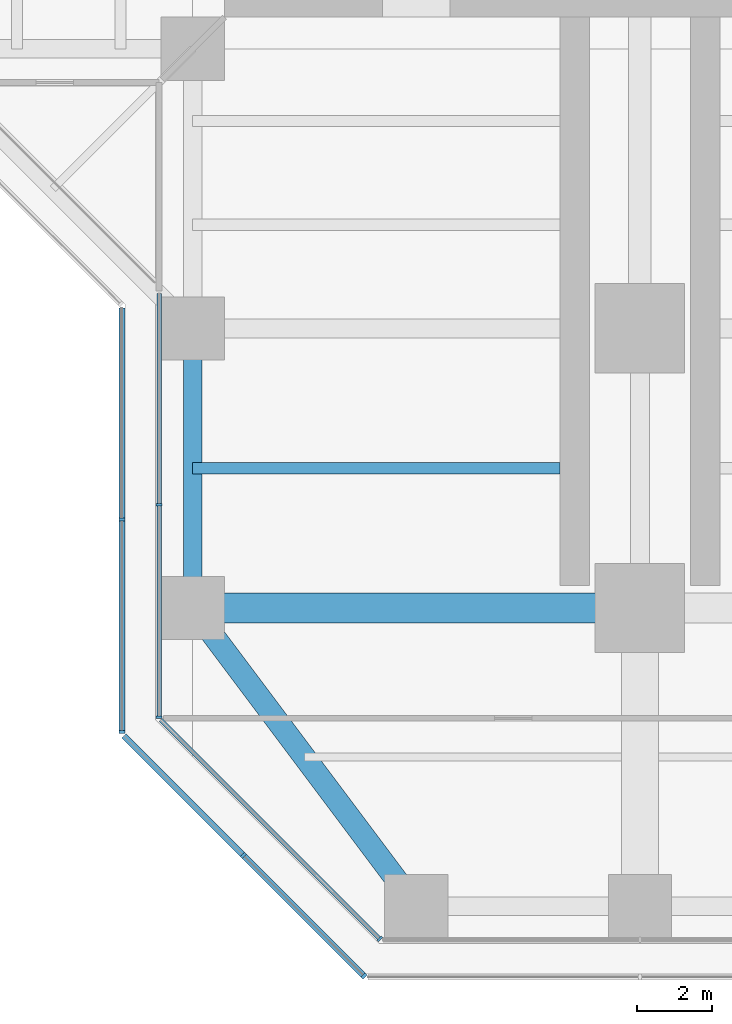
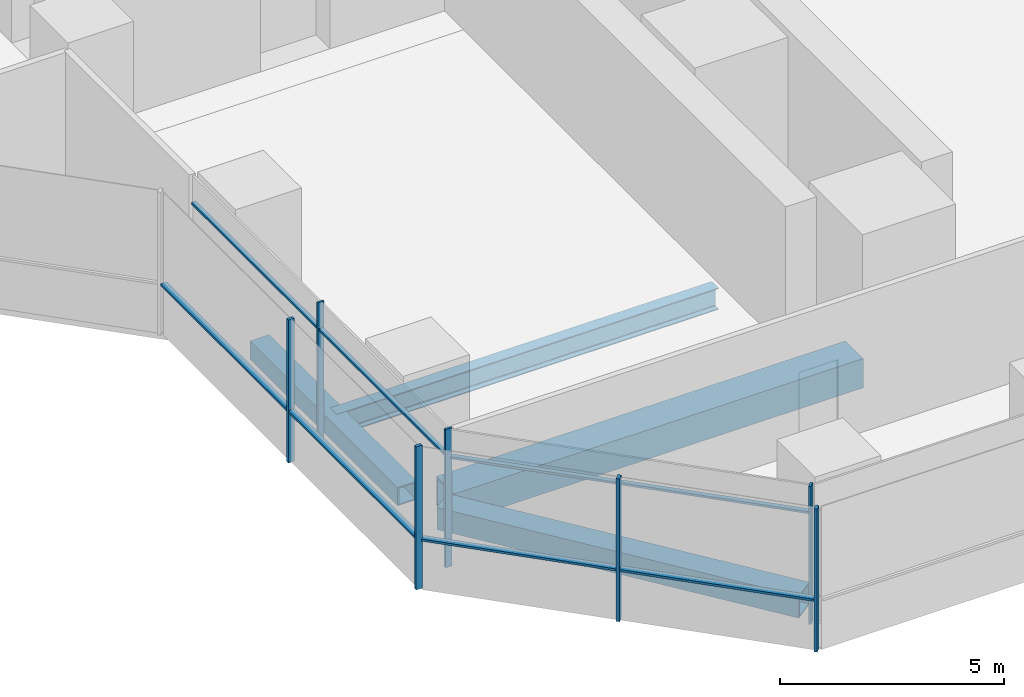
# One storey, part 2 of 22: 14 members, 4 beams, 4 elements without a shape of their own.
"""IFC4 building model written with IfcOpenShell, lengths in metres."""

from ifc_helpers import new_model, si_unit, direction, frame, origin, origin_2d, place, context, subcontext, project, spatial, rectangle, hollow_rectangle, i_section, extrude, material, material_profile, profile_set, type_object, element, aggregate, save


model = new_model("IFC4")

# Units and contexts
model_context = context("Model", 3, precision=1e-05, world=origin(), true_north=direction((0.0, 1.0)))
body_context = subcontext(model_context, "Body", "Model", "MODEL_VIEW")
ifc_project = project(units=[si_unit("LENGTHUNIT", "METRE"), si_unit("AREAUNIT", "SQUARE_METRE"), si_unit("VOLUMEUNIT", "CUBIC_METRE"), si_unit("PLANEANGLEUNIT", "RADIAN"), si_unit("MASSUNIT", "GRAM", prefix="KILO")], contexts=[model_context])

# Site, building, storey
site_placement = place(None, origin())
site = spatial("IfcSite", under=ifc_project, at=site_placement, CompositionType="ELEMENT")
building_placement = place(site_placement, origin())
building = spatial("IfcBuilding", under=site, at=building_placement, Name="Mizan Broadcast Tower", CompositionType="ELEMENT")
storey_placement = place(building_placement, frame((0.0, 0.0, 66.89990234375)))
storey = spatial("IfcBuildingStorey", under=building, at=storey_placement, Name="L13", CompositionType="ELEMENT", Elevation=66.89990234375)

# Beams
ifc_material_1 = material(Name="Steel S355", Category="steel")
ifc_material_profile_1 = material_profile(ifc_material_1, hollow_rectangle(XDim=0.5, YDim=0.5, WallThickness=0.030029296875, at=origin_2d()), Name="BOX 500x500x30")
ifc_profile_set_1 = profile_set([ifc_material_profile_1], Name="Steel S355")
beam_type_1 = type_object("IfcBeamType", Name="EDGE BEAM BOX 500x500x30", PredefinedType="SPANDREL", material=ifc_profile_set_1)
beam_1_placement = place(storey_placement, frame((-12.0, -19.949951171875, -0.3798828125), z_axis=(0.0, -1.0, 0.0), x_axis=(1.0, 0.0, 0.0)))
element("IfcBeam", 1, at=beam_1_placement, inside=storey, type_object=beam_type_1, Name="Edge beam BOX 500x500x30 L13 south arm", PredefinedType="SPANDREL", context=body_context, shape_type="SweptSolid", body=[
    extrude(hollow_rectangle(XDim=0.5, YDim=0.5, WallThickness=0.030029296875, at=origin_2d()), origin(), (0.0, 0.0, 1.0), 6.60009765625),
])
ifc_material_2 = material(Name="Steel S355", Category="steel")
ifc_material_profile_2 = material_profile(ifc_material_2, hollow_rectangle(XDim=0.60009765625, YDim=0.60009765625, WallThickness=0.030029296875, at=origin_2d()), Name="BOX 600x600x30")
ifc_profile_set_2 = profile_set([ifc_material_profile_2], Name="Steel S355")
beam_type_2 = type_object("IfcBeamType", Name="EDGE BEAM BOX 600x600x30", PredefinedType="SPANDREL", material=ifc_profile_set_2)
beam_2_placement = place(storey_placement, frame((-11.639892578125, -27.47998046875, -0.429931640625), z_axis=(0.599982243973, -0.800013316712, 0.0), x_axis=(0.800013316712, 0.599982243973, 0.0)))
element("IfcBeam", 2, at=beam_2_placement, inside=storey, type_object=beam_type_2, Name="Edge beam BOX 600x600x30 L13 south arm", PredefinedType="SPANDREL", context=body_context, shape_type="SweptSolid", body=[
    extrude(hollow_rectangle(XDim=0.60009765625, YDim=0.60009765625, WallThickness=0.030029296875, at=origin_2d()), origin(), (0.0, 0.0, 1.0), 8.7998046875),
])
ifc_material_3 = material(Name="Steel S460", Category="steel")
ifc_material_profile_3 = material_profile(ifc_material_3, hollow_rectangle(XDim=0.800048828125, YDim=0.800048828125, WallThickness=0.050048828125, at=origin_2d()), Name="BOX 800x800x50")
ifc_profile_set_3 = profile_set([ifc_material_profile_3], Name="Steel S460")
beam_type_3 = type_object("IfcBeamType", Name="GIRDER BOX 800x800x50", PredefinedType="BEAM", material=ifc_profile_set_3)
beam_3_placement = place(storey_placement, frame((-11.280029296875, -27.0, -0.52978515625), z_axis=(1.0, 0.0, 0.0), x_axis=(0.0, 1.0, 0.0)))
element("IfcBeam", 3, at=beam_3_placement, inside=storey, type_object=beam_type_3, Name="Girder BOX 800x800x50 L13 south arm", PredefinedType="BEAM", context=body_context, shape_type="SweptSolid", body=[
    extrude(hollow_rectangle(XDim=0.800048828125, YDim=0.800048828125, WallThickness=0.050048828125, at=origin_2d()), origin(), (0.0, 0.0, 1.0), 10.56005859375),
])

# Curtain wall, members
ifc_material_4 = material(Name="Aluminium framed glazing", Category="aluminium")
curtain_wall_type_1 = type_object("IfcCurtainWallType", Name="INNER SKIN LOW ZONE", PredefinedType="USERDEFINED", material=ifc_material_4)
curtain_wall_1_placement = place(storey_placement, origin())
curtain_wall_1 = element("IfcCurtainWall", 4, at=curtain_wall_1_placement, inside=storey, type_object=curtain_wall_type_1, Name="Inner skin low zone L13 S side", ObjectType="INNER SKIN LOW ZONE", PredefinedType="USERDEFINED")
ifc_material_5 = material(Name="Aluminium, pale anodised", Category="aluminium")
ifc_material_profile_4 = material_profile(ifc_material_5, rectangle(XDim=0.159912109375, YDim=0.06005859375, at=origin_2d()), Name="MULLION 160x60")
ifc_profile_set_4 = profile_set([ifc_material_profile_4], Name="Aluminium, pale anodised")
member_type_1 = type_object("IfcMemberType", Name="INNER SKIN MULLION 60x160", PredefinedType="MULLION", material=ifc_profile_set_4)
member_1_placement = place(storey_placement, frame((-12.89990234375, -24.229248046875, 0.0), z_axis=(0.0, 0.0, 1.0), x_axis=(1.0, 0.0, 0.0)))
member_1 = element("IfcMember", 5, at=member_1_placement, type_object=member_type_1, Name="Inner skin low zone L13 S side mullion 2", PredefinedType="MULLION", context=body_context, shape_type="SweptSolid", body=[
    extrude(rectangle(XDim=0.159912109375, YDim=0.06005859375, at=origin_2d()), origin(), (0.0, 0.0, 1.0), 3.77001953125),
])
member_2_placement = place(storey_placement, frame((-12.89990234375, -29.928466796875, 0.0), z_axis=(0.0, 0.0, 1.0), x_axis=(1.0, 0.0, 0.0)))
member_2 = element("IfcMember", 6, at=member_2_placement, type_object=member_type_1, Name="Inner skin low zone L13 S side mullion 3", PredefinedType="MULLION", context=body_context, shape_type="SweptSolid", body=[
    extrude(rectangle(XDim=0.159912109375, YDim=0.06005859375, at=origin_2d()), origin(), (0.0, 0.0, 1.0), 3.77001953125),
])

# Curtain wall, member
curtain_wall_2_placement = place(storey_placement, origin())
curtain_wall_2 = element("IfcCurtainWall", 7, at=curtain_wall_2_placement, inside=storey, type_object=curtain_wall_type_1, Name="Inner skin low zone L13 S chamfer", ObjectType="INNER SKIN LOW ZONE", PredefinedType="USERDEFINED")
member_3_placement = place(storey_placement, frame((-6.979736328125, -35.87890625, 0.0), z_axis=(0.0, 0.0, 1.0), x_axis=(0.707106781187, 0.707106781187, 0.0)))
member_3 = element("IfcMember", 8, at=member_3_placement, type_object=member_type_1, Name="Inner skin low zone L13 S chamfer mullion 2", PredefinedType="MULLION", context=body_context, shape_type="SweptSolid", body=[
    extrude(rectangle(XDim=0.159912109375, YDim=0.06005859375, at=origin_2d()), origin(), (0.0, 0.0, 1.0), 3.77001953125),
])

# Member
ifc_material_6 = material(Name="Aluminium, pale anodised", Category="aluminium")
ifc_material_profile_5 = material_profile(ifc_material_6, rectangle(XDim=0.1201171875, YDim=0.06005859375, at=origin_2d()), Name="TRANSOM 120x60")
ifc_profile_set_5 = profile_set([ifc_material_profile_5], Name="Aluminium, pale anodised")
member_type_2 = type_object("IfcMemberType", Name="INNER SKIN TRANSOM 60x120", PredefinedType="USERDEFINED", material=ifc_profile_set_5)
member_4_placement = place(storey_placement, frame((-12.89990234375, -18.56005859375, 3.030029296875), z_axis=(0.0, -1.0, 0.0), x_axis=(1.0, 0.0, 0.0)))
member_4 = element("IfcMember", 9, at=member_4_placement, type_object=member_type_2, Name="Inner skin low zone L13 S side transom 1.1", ObjectType="TRANSOM", PredefinedType="USERDEFINED", context=body_context, shape_type="SweptSolid", body=[
    extrude(rectangle(XDim=0.1201171875, YDim=0.06005859375, at=origin_2d()), origin(), (0.0, 0.0, 1.0), 5.63916015625),
])

member_5_placement = place(storey_placement, frame((-12.89990234375, -24.25927734375, 3.030029296875), z_axis=(0.0, -1.0, 0.0), x_axis=(1.0, 0.0, 0.0)))
member_5 = element("IfcMember", 10, at=member_5_placement, type_object=member_type_2, Name="Inner skin low zone L13 S side transom 2.1", ObjectType="TRANSOM", PredefinedType="USERDEFINED", context=body_context, shape_type="SweptSolid", body=[
    extrude(rectangle(XDim=0.1201171875, YDim=0.06005859375, at=origin_2d()), origin(), (0.0, 0.0, 1.0), 5.639404296875),
])

aggregate(curtain_wall_1, [member_1, member_2, member_4, member_5])

member_6_placement = place(storey_placement, frame((-12.857666015625, -30.0009765625, 3.030029296875), z_axis=(0.707106781187, -0.707106781187, 0.0), x_axis=(0.707106781187, 0.707106781187, 0.0)))
member_6 = element("IfcMember", 11, at=member_6_placement, type_object=member_type_2, Name="Inner skin low zone L13 S chamfer transom 1.1", ObjectType="TRANSOM", PredefinedType="USERDEFINED", context=body_context, shape_type="SweptSolid", body=[
    extrude(rectangle(XDim=0.1201171875, YDim=0.06005859375, at=origin_2d()), origin(), (0.0, 0.0, 1.0), 8.28271484375),
])

aggregate(curtain_wall_2, [member_3, member_6])

# Curtain wall, members
ifc_material_7 = material(Name="Aluminium framed glazing", Category="aluminium")
curtain_wall_type_2 = type_object("IfcCurtainWallType", Name="OUTER SKIN", PredefinedType="USERDEFINED", material=ifc_material_7)
curtain_wall_3_placement = place(storey_placement, origin())
curtain_wall_3 = element("IfcCurtainWall", 12, at=curtain_wall_3_placement, inside=storey, type_object=curtain_wall_type_2, Name="Outer skin L13 S side", ObjectType="OUTER SKIN", PredefinedType="USERDEFINED")
ifc_material_8 = material(Name="Aluminium, pale anodised", Category="aluminium")
ifc_material_profile_6 = material_profile(ifc_material_8, rectangle(XDim=0.159912109375, YDim=0.080078125, at=origin_2d()), Name="MULLION 160x80")
ifc_profile_set_6 = profile_set([ifc_material_profile_6], Name="Aluminium, pale anodised")
member_type_3 = type_object("IfcMemberType", Name="OUTER SKIN MULLION 80x160", PredefinedType="MULLION", material=ifc_profile_set_6)
member_7_placement = place(storey_placement, frame((-13.89990234375, -24.622802734375, 0.0), z_axis=(0.0, 0.0, 1.0), x_axis=(1.0, 0.0, 0.0)))
member_7 = element("IfcMember", 13, at=member_7_placement, type_object=member_type_3, Name="Outer skin L13 S side mullion 2", PredefinedType="MULLION", context=body_context, shape_type="SweptSolid", body=[
    extrude(rectangle(XDim=0.159912109375, YDim=0.080078125, at=origin_2d()), origin(), (0.0, 0.0, 1.0), 3.900146484375),
])
member_8_placement = place(storey_placement, frame((-13.89990234375, -30.332763671875, 0.0), z_axis=(0.0, 0.0, 1.0), x_axis=(1.0, 0.0, 0.0)))
member_8 = element("IfcMember", 14, at=member_8_placement, type_object=member_type_3, Name="Outer skin L13 S side mullion 3", PredefinedType="MULLION", context=body_context, shape_type="SweptSolid", body=[
    extrude(rectangle(XDim=0.159912109375, YDim=0.080078125, at=origin_2d()), origin(), (0.0, 0.0, 1.0), 3.900146484375),
])

curtain_wall_4_placement = place(storey_placement, origin())
curtain_wall_4 = element("IfcCurtainWall", 15, at=curtain_wall_4_placement, inside=storey, type_object=curtain_wall_type_2, Name="Outer skin L13 S chamfer", ObjectType="OUTER SKIN", PredefinedType="USERDEFINED")
member_9_placement = place(storey_placement, frame((-10.636474609375, -33.636474609375, 0.0), z_axis=(0.0, 0.0, 1.0), x_axis=(0.707106781187, 0.707106781187, 0.0)))
member_9 = element("IfcMember", 16, at=member_9_placement, type_object=member_type_3, Name="Outer skin L13 S chamfer mullion 2", PredefinedType="MULLION", context=body_context, shape_type="SweptSolid", body=[
    extrude(rectangle(XDim=0.159912109375, YDim=0.080078125, at=origin_2d()), origin(), (0.0, 0.0, 1.0), 3.900146484375),
])
member_10_placement = place(storey_placement, frame((-7.401123046875, -36.871826171875, 0.0), z_axis=(0.0, 0.0, 1.0), x_axis=(0.707106781187, 0.707106781187, 0.0)))
member_10 = element("IfcMember", 17, at=member_10_placement, type_object=member_type_3, Name="Outer skin L13 S chamfer mullion 3", PredefinedType="MULLION", context=body_context, shape_type="SweptSolid", body=[
    extrude(rectangle(XDim=0.159912109375, YDim=0.080078125, at=origin_2d()), origin(), (0.0, 0.0, 1.0), 3.900146484375),
])

# Member
ifc_material_9 = material(Name="Aluminium, pale anodised", Category="aluminium")
ifc_material_profile_7 = material_profile(ifc_material_9, rectangle(XDim=0.159912109375, YDim=0.06005859375, at=origin_2d()), Name="TRANSOM 160x60")
ifc_profile_set_7 = profile_set([ifc_material_profile_7], Name="Aluminium, pale anodised")
member_type_4 = type_object("IfcMemberType", Name="OUTER SKIN TRANSOM 60x160", PredefinedType="USERDEFINED", material=ifc_profile_set_7)
member_11_placement = place(storey_placement, frame((-13.89990234375, -18.952880859375, 1.400146484375), z_axis=(0.0, -1.0, 0.0), x_axis=(1.0, 0.0, 0.0)))
member_11 = element("IfcMember", 18, at=member_11_placement, type_object=member_type_4, Name="Outer skin L13 S side transom 1.1", ObjectType="TRANSOM", PredefinedType="USERDEFINED", context=body_context, shape_type="SweptSolid", body=[
    extrude(rectangle(XDim=0.159912109375, YDim=0.06005859375, at=origin_2d()), origin(), (0.0, 0.0, 1.0), 5.6298828125),
])

member_12_placement = place(storey_placement, frame((-13.89990234375, -24.662841796875, 1.400146484375), z_axis=(0.0, -1.0, 0.0), x_axis=(1.0, 0.0, 0.0)))
member_12 = element("IfcMember", 19, at=member_12_placement, type_object=member_type_4, Name="Outer skin L13 S side transom 2.1", ObjectType="TRANSOM", PredefinedType="USERDEFINED", context=body_context, shape_type="SweptSolid", body=[
    extrude(rectangle(XDim=0.159912109375, YDim=0.06005859375, at=origin_2d()), origin(), (0.0, 0.0, 1.0), 5.6298828125),
])

aggregate(curtain_wall_3, [member_7, member_8, member_11, member_12])

member_13_placement = place(storey_placement, frame((-13.843505859375, -30.429443359375, 1.400146484375), z_axis=(0.707106781187, -0.707106781187, 0.0), x_axis=(0.707106781187, 0.707106781187, 0.0)))
member_13 = element("IfcMember", 20, at=member_13_placement, type_object=member_type_4, Name="Outer skin L13 S chamfer transom 1.1", ObjectType="TRANSOM", PredefinedType="USERDEFINED", context=body_context, shape_type="SweptSolid", body=[
    extrude(rectangle(XDim=0.159912109375, YDim=0.06005859375, at=origin_2d()), origin(), (0.0, 0.0, 1.0), 4.495361328125),
])

member_14_placement = place(storey_placement, frame((-10.608154296875, -33.664794921875, 1.400146484375), z_axis=(0.707106781187, -0.707106781187, 0.0), x_axis=(0.707106781187, 0.707106781187, 0.0)))
member_14 = element("IfcMember", 21, at=member_14_placement, type_object=member_type_4, Name="Outer skin L13 S chamfer transom 2.1", ObjectType="TRANSOM", PredefinedType="USERDEFINED", context=body_context, shape_type="SweptSolid", body=[
    extrude(rectangle(XDim=0.159912109375, YDim=0.06005859375, at=origin_2d()), origin(), (0.0, 0.0, 1.0), 4.495361328125),
])

aggregate(curtain_wall_4, [member_9, member_10, member_13, member_14])

# Beam
ifc_material_10 = material(Name="Steel S355", Category="steel")
ifc_material_profile_8 = material_profile(ifc_material_10, i_section(OverallWidth=0.300048828125, OverallDepth=0.590087890625, WebThickness=0.012939453125, FlangeThickness=0.02490234375, FilletRadius=0.027099609375, at=origin_2d()), Name="HEA 600")
ifc_profile_set_8 = profile_set([ifc_material_profile_8], Name="Steel S355")
beam_type_4 = type_object("IfcBeamType", Name="SECONDARY BEAM HEA 600", PredefinedType="JOIST", material=ifc_profile_set_8)
beam_4_placement = place(storey_placement, frame((-12.0, -23.25, -0.4248046875), z_axis=(1.0, 0.0, 0.0), x_axis=(0.0, 1.0, 0.0)))
element("IfcBeam", 22, at=beam_4_placement, inside=storey, type_object=beam_type_4, Name="Secondary beam HEA 600 L13 south arm", PredefinedType="JOIST", context=body_context, shape_type="SweptSolid", body=[
    extrude(i_section(OverallWidth=0.300048828125, OverallDepth=0.590087890625, WebThickness=0.012939453125, FlangeThickness=0.02490234375, FilletRadius=0.027099609375, at=origin_2d()), origin(), (0.0, 0.0, 1.0), 9.85009765625),
])

save(model, "model.ifc")
